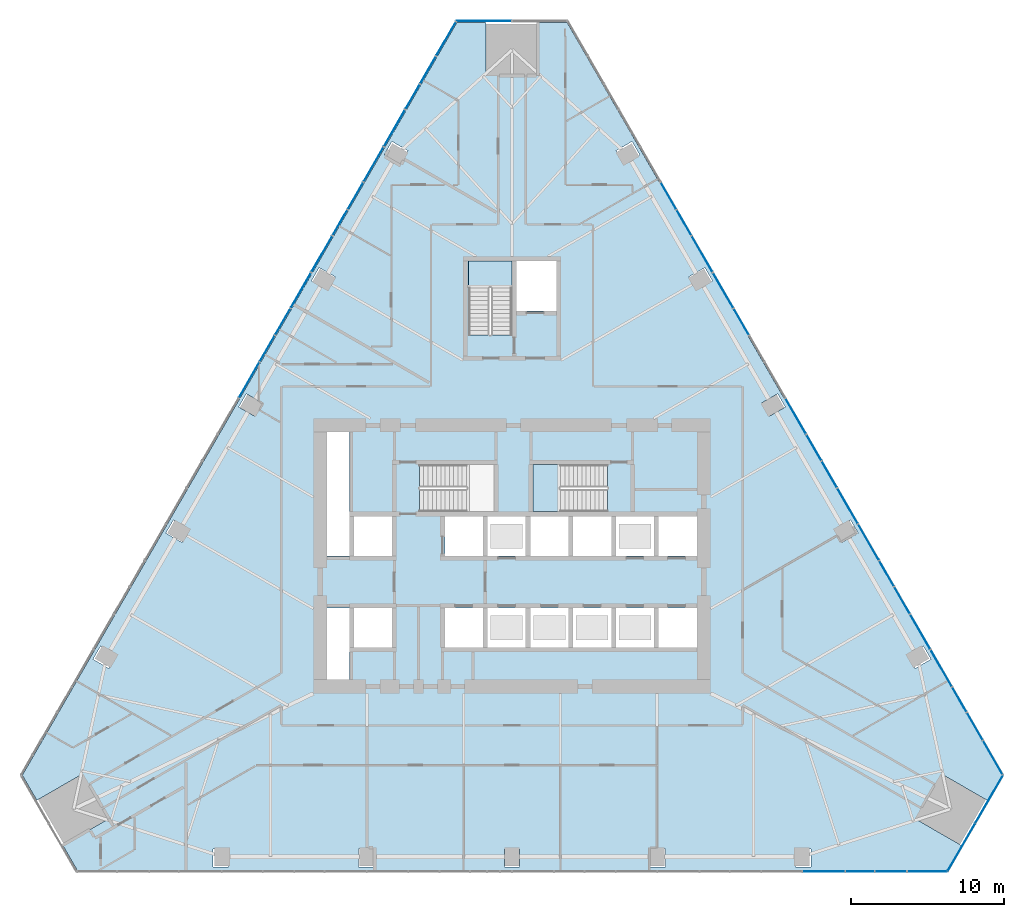
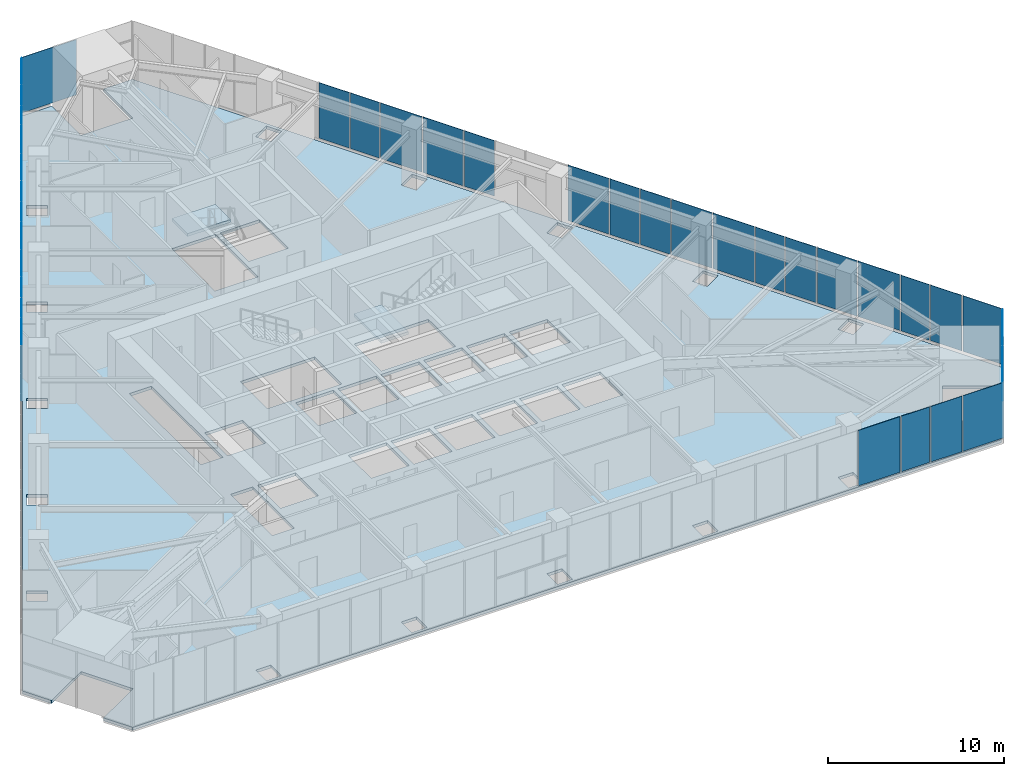
# One storey, part 14 of 21: 39 plates, 3 slabs, 7 elements without a shape of their own.
"""IFC4 building model written with IfcOpenShell, lengths in metres."""

from ifc_helpers import new_model, si_unit, direction, frame, origin, place, context, subcontext, project, spatial, polyline, outline, extrude, material, layer, layer_set, type_object, element, aggregate, save


model = new_model("IFC4")

# Units and contexts
model_context = context("Model", 3, precision=1e-05, world=origin(), true_north=direction((0.0, 1.0)))
body_context = subcontext(model_context, "Body", "Model", "MODEL_VIEW")
ifc_project = project(units=[si_unit("LENGTHUNIT", "METRE"), si_unit("AREAUNIT", "SQUARE_METRE"), si_unit("VOLUMEUNIT", "CUBIC_METRE"), si_unit("PLANEANGLEUNIT", "RADIAN"), si_unit("MASSUNIT", "GRAM", prefix="KILO")], contexts=[model_context])

# Site, building, storey
site_placement = place(None, origin())
site = spatial("IfcSite", under=ifc_project, at=site_placement, CompositionType="ELEMENT")
building_placement = place(site_placement, origin())
building = spatial("IfcBuilding", under=site, at=building_placement, Name="Firuza Gate Tower and Library", CompositionType="ELEMENT")
storey_placement = place(building_placement, frame((0.0, 0.0, 69.39990234375)))
storey = spatial("IfcBuildingStorey", under=building, at=storey_placement, Name="L15", CompositionType="ELEMENT", Elevation=69.39990234375)

# Slab
ifc_material_1 = material(Name="Concrete C40/50", Category="concrete")
ifc_layer_1 = layer(ifc_material_1, 0.199951171875)
ifc_layer_set_1 = layer_set([ifc_layer_1], Name="Composite floor slab 200 C40/50")
slab_type_1 = type_object("IfcSlabType", Name="Composite floor slab 200 C40/50", PredefinedType="FLOOR", material=ifc_layer_set_1)
slab_1_placement = place(storey_placement, frame((0.0, 0.0, -0.199951171875)))
element("IfcSlab", 1, at=slab_1_placement, inside=storey, type_object=slab_type_1, Name="Floor slab L15", PredefinedType="FLOOR", context=body_context, shape_type="SweptSolid", body=[
    extrude(outline(polyline([(103.455810546875, 54.4140625), (104.406005859375, 56.0595703125), (101.522216796875, 57.724365234375), (103.22216796875, 60.6689453125), (106.10595703125, 59.00390625), (107.055908203125, 60.6494140625), (78.60009765625, 109.9365234375), (76.699951171875, 109.9365234375), (76.699951171875, 106.606689453125), (73.300048828125, 106.606689453125), (73.300048828125, 109.9365234375), (71.39990234375, 109.9365234375), (42.944091796875, 60.6494140625), (43.89404296875, 59.00390625), (46.77783203125, 60.6689453125), (48.477783203125, 57.724365234375), (45.593994140625, 56.0595703125), (46.544189453125, 54.4140625), (103.455810546875, 54.4140625)]), holes=[polyline([(55.43115234375, 54.62890625), (55.43115234375, 55.828857421875), (56.43115234375, 55.828857421875), (56.43115234375, 54.62890625), (55.43115234375, 54.62890625)]), polyline([(64.965576171875, 54.62890625), (64.965576171875, 55.828857421875), (65.965576171875, 55.828857421875), (65.965576171875, 54.62890625), (64.965576171875, 54.62890625)]), polyline([(48.07373046875, 69.1044921875), (49.11279296875, 68.50439453125), (48.61279296875, 67.638427734375), (47.57373046875, 68.23828125), (48.07373046875, 69.1044921875)]), polyline([(64.35009765625, 66.89990234375), (62.89990234375, 66.89990234375), (62.89990234375, 71.60009765625), (64.35009765625, 71.60009765625), (64.35009765625, 66.89990234375)]), polyline([(75.89990234375, 69.0), (73.39990234375, 69.0), (73.39990234375, 71.60009765625), (75.89990234375, 71.60009765625), (75.89990234375, 69.0)]), polyline([(73.10009765625, 69.0), (70.60009765625, 69.0), (70.60009765625, 71.60009765625), (73.10009765625, 71.60009765625), (73.10009765625, 69.0)]), polyline([(64.64990234375, 69.0), (64.64990234375, 71.60009765625), (67.14990234375, 71.60009765625), (67.14990234375, 69.0), (64.64990234375, 69.0)]), polyline([(64.64990234375, 75.0), (64.64990234375, 77.60009765625), (67.14990234375, 77.60009765625), (67.14990234375, 75.0), (64.64990234375, 75.0)]), polyline([(75.89990234375, 75.0), (73.39990234375, 75.0), (73.39990234375, 77.60009765625), (75.89990234375, 77.60009765625), (75.89990234375, 75.0)]), polyline([(73.10009765625, 75.0), (70.60009765625, 75.0), (70.60009765625, 77.60009765625), (73.10009765625, 77.60009765625), (73.10009765625, 75.0)]), polyline([(52.8408203125, 77.361572265625), (53.880126953125, 76.761474609375), (53.380126953125, 75.8955078125), (52.3408203125, 76.495361328125), (52.8408203125, 77.361572265625)]), polyline([(62.89990234375, 75.0), (62.89990234375, 83.10009765625), (64.35009765625, 83.10009765625), (64.35009765625, 75.0), (62.89990234375, 75.0)]), polyline([(68.9404296875, 77.89990234375), (68.9404296875, 80.97998046875), (73.81005859375, 80.97998046875), (73.81005859375, 77.89990234375), (68.9404296875, 77.89990234375)]), polyline([(57.608154296875, 85.61865234375), (58.6474609375, 85.0185546875), (58.1474609375, 84.152587890625), (57.108154296875, 84.75244140625), (57.608154296875, 85.61865234375)]), polyline([(72.159912109375, 89.470458984375), (72.159912109375, 94.300048828125), (75.0, 94.300048828125), (75.0, 89.470458984375), (72.159912109375, 89.470458984375)]), polyline([(62.375244140625, 93.875732421875), (63.41455078125, 93.275634765625), (62.91455078125, 92.40966796875), (61.875244140625, 93.009521484375), (62.375244140625, 93.875732421875)]), polyline([(68.181884765625, 101.53271484375), (67.681884765625, 100.666748046875), (66.642578125, 101.2666015625), (67.142578125, 102.1328125), (68.181884765625, 101.53271484375)]), polyline([(93.56884765625, 54.62890625), (93.56884765625, 55.828857421875), (94.56884765625, 55.828857421875), (94.56884765625, 54.62890625), (93.56884765625, 54.62890625)]), polyline([(74.5, 54.62890625), (74.5, 55.828857421875), (75.5, 55.828857421875), (75.5, 54.62890625), (74.5, 54.62890625)]), polyline([(84.034423828125, 54.62890625), (84.034423828125, 55.828857421875), (85.034423828125, 55.828857421875), (85.034423828125, 54.62890625), (84.034423828125, 54.62890625)]), polyline([(102.42626953125, 68.23828125), (101.38720703125, 67.638427734375), (100.88720703125, 68.50439453125), (101.92626953125, 69.1044921875), (102.42626953125, 68.23828125)]), polyline([(78.699951171875, 69.0), (76.199951171875, 69.0), (76.199951171875, 71.60009765625), (78.699951171875, 71.60009765625), (78.699951171875, 69.0)]), polyline([(81.5, 69.0), (79.0, 69.0), (79.0, 71.60009765625), (81.5, 71.60009765625), (81.5, 69.0)]), polyline([(84.60009765625, 69.0), (84.60009765625, 71.60009765625), (87.10009765625, 71.60009765625), (87.10009765625, 69.0), (84.60009765625, 69.0)]), polyline([(81.800048828125, 69.0), (81.800048828125, 71.60009765625), (84.300048828125, 71.60009765625), (84.300048828125, 69.0), (81.800048828125, 69.0)]), polyline([(84.300048828125, 75.0), (81.800048828125, 75.0), (81.800048828125, 77.60009765625), (84.300048828125, 77.60009765625), (84.300048828125, 75.0)]), polyline([(87.10009765625, 75.0), (84.60009765625, 75.0), (84.60009765625, 77.60009765625), (87.10009765625, 77.60009765625), (87.10009765625, 75.0)]), polyline([(81.5, 75.0), (79.0, 75.0), (79.0, 77.60009765625), (81.5, 77.60009765625), (81.5, 75.0)]), polyline([(76.199951171875, 75.0), (76.199951171875, 77.60009765625), (78.699951171875, 77.60009765625), (78.699951171875, 75.0), (76.199951171875, 75.0)]), polyline([(96.619873046875, 75.8955078125), (96.119873046875, 76.761474609375), (97.1591796875, 77.361572265625), (97.6591796875, 76.495361328125), (96.619873046875, 75.8955078125)]), polyline([(81.259521484375, 77.89990234375), (76.389892578125, 77.89990234375), (76.389892578125, 80.97998046875), (81.259521484375, 80.97998046875), (81.259521484375, 77.89990234375)]), polyline([(92.891845703125, 84.75244140625), (91.8525390625, 84.152587890625), (91.3525390625, 85.0185546875), (92.391845703125, 85.61865234375), (92.891845703125, 84.75244140625)]), polyline([(77.89990234375, 91.050048828125), (75.300048828125, 91.050048828125), (75.300048828125, 94.300048828125), (77.89990234375, 94.300048828125), (77.89990234375, 91.050048828125)]), polyline([(87.08544921875, 92.40966796875), (86.58544921875, 93.275634765625), (87.624755859375, 93.875732421875), (88.124755859375, 93.009521484375), (87.08544921875, 92.40966796875)]), polyline([(82.318115234375, 100.666748046875), (81.818115234375, 101.53271484375), (82.857421875, 102.1328125), (83.357421875, 101.2666015625), (82.318115234375, 100.666748046875)])]), origin(), (0.0, 0.0, 1.0), 0.199951171875),
])

# Curtain wall, plates
ifc_material_2 = material(Name="Aluminium 6063-T6", Category="aluminium")
ifc_layer_2 = layer(ifc_material_2, 0.14990234375)
ifc_layer_set_2 = layer_set([ifc_layer_2], Name="Corner curtain wall, chamfers")
curtain_wall_type_1 = type_object("IfcCurtainWallType", Name="Corner curtain wall, chamfers", PredefinedType="NOTDEFINED", material=ifc_layer_set_2)
placement_1 = place(storey_placement, origin())
curtain_wall_1 = element("IfcCurtainWall", 2, at=placement_1, inside=storey, type_object=curtain_wall_type_1, Name="CW4 L15 SE corner", PredefinedType="NOTDEFINED")
ifc_material_3 = material(Name="Fritted glass", Category="glass")
ifc_layer_3 = layer(ifc_material_3, 0.030029296875)
ifc_layer_set_3 = layer_set([ifc_layer_3], Name="Fritted glass unit, corners")
plate_type_1 = type_object("IfcPlateType", Name="Fritted glass unit, corners", PredefinedType="CURTAIN_PANEL", material=ifc_layer_set_3)
plate_1_placement = place(storey_placement, frame((103.5322265625, 54.3662109375, 0.150146484375), z_axis=(0.866046390552, -0.49996364809, 0.0), x_axis=(0.49996364809, 0.866046390552, 0.0)))
plate_1 = element("IfcPlate", 3, at=plate_1_placement, type_object=plate_type_1, Name="Glass unit", PredefinedType="CURTAIN_PANEL", context=body_context, shape_type="SweptSolid", body=[
    extrude(outline(polyline([(0.0, 0.0), (3.563247342942594, 0.0), (3.563247342942594, 1.260009765625), (0.0, 1.260009765625), (0.0, 0.0)])), origin(), (0.0, 0.0, -1.0), 0.030029296875),
])
plate_2_placement = place(storey_placement, frame((103.5322265625, 54.3662109375, 1.489990234375), z_axis=(0.866046390552, -0.49996364809, 0.0), x_axis=(0.49996364809, 0.866046390552, 0.0)))
plate_2 = element("IfcPlate", 4, at=plate_2_placement, type_object=plate_type_1, Name="Glass unit", PredefinedType="CURTAIN_PANEL", context=body_context, shape_type="SweptSolid", body=[
    extrude(outline(polyline([(0.0, 0.0), (3.563247342942594, 0.0), (3.563247342942594, 1.195068359375), (0.0, 1.195068359375), (0.0, 0.0)])), origin(), (0.0, 0.0, -1.0), 0.030029296875),
])
plate_3_placement = place(storey_placement, frame((105.353759765625, 57.521484375, 0.150146484375), z_axis=(0.865999591991, -0.500044704672, 0.0), x_axis=(0.500044704672, 0.865999591991, 0.0)))
plate_3 = element("IfcPlate", 5, at=plate_3_placement, type_object=plate_type_1, Name="Glass unit", PredefinedType="CURTAIN_PANEL", context=body_context, shape_type="SweptSolid", body=[
    extrude(outline(polyline([(0.0, 0.0), (3.5631579828801696, 0.0), (3.5631579828801696, 1.885009765625), (0.0, 1.885009765625), (0.0, 0.0)])), origin(), (0.0, 0.0, -1.0), 0.030029296875),
])

ifc_material_4 = material(Name="Aluminium 6063-T6", Category="aluminium")
ifc_layer_4 = layer(ifc_material_4, 0.14990234375)
ifc_layer_set_4 = layer_set([ifc_layer_4], Name="Unitised curtain wall, offices")
curtain_wall_type_2 = type_object("IfcCurtainWallType", Name="Unitised curtain wall, offices", PredefinedType="NOTDEFINED", material=ifc_layer_set_4)
curtain_wall_2 = element("IfcCurtainWall", 6, at=placement_1, inside=storey, type_object=curtain_wall_type_2, Name="CW1 L15 S face", PredefinedType="NOTDEFINED")
ifc_material_5 = material(Name="Fritted glass", Category="glass")
ifc_layer_5 = layer(ifc_material_5, 0.030029296875)
ifc_layer_set_5 = layer_set([ifc_layer_5], Name="Fritted glass unit, offices")
plate_type_2 = type_object("IfcPlateType", Name="Fritted glass unit, offices", PredefinedType="CURTAIN_PANEL", material=ifc_layer_set_5)
plate_4_placement = place(storey_placement, frame((96.854736328125, 54.323974609375, 0.150146484375), z_axis=(0.0, -1.0, 0.0), x_axis=(1.0, 0.0, 0.0)))
plate_4 = element("IfcPlate", 7, at=plate_4_placement, type_object=plate_type_2, Name="Glass unit", PredefinedType="CURTAIN_PANEL", context=body_context, shape_type="SweptSolid", body=[
    extrude(outline(polyline([(0.0, 0.0), (1.8544921875, 0.0), (1.8544921875, 3.849853515625), (0.0, 3.849853515625), (0.0, 0.0)])), origin(), (0.0, 0.0, -1.0), 0.030029296875),
])
plate_5_placement = place(storey_placement, frame((98.789306640625, 54.323974609375, 0.150146484375), z_axis=(0.0, -1.0, 0.0), x_axis=(1.0, 0.0, 0.0)))
plate_5 = element("IfcPlate", 8, at=plate_5_placement, type_object=plate_type_2, Name="Glass unit", PredefinedType="CURTAIN_PANEL", context=body_context, shape_type="SweptSolid", body=[
    extrude(outline(polyline([(0.0, 0.0), (2.028076171875, 0.0), (2.028076171875, 3.849853515625), (0.0, 3.849853515625), (0.0, 0.0)])), origin(), (0.0, 0.0, -1.0), 0.030029296875),
])

curtain_wall_3 = element("IfcCurtainWall", 9, at=placement_1, inside=storey, type_object=curtain_wall_type_2, Name="CW1 L15 E face", PredefinedType="NOTDEFINED")
plate_6_placement = place(storey_placement, frame((105.814697265625, 62.9794921875, 0.150146484375), z_axis=(0.865997142093, 0.500048947491, 0.0), x_axis=(-0.500048947491, 0.865997142093, 0.0)))
plate_6 = element("IfcPlate", 10, at=plate_6_placement, type_object=plate_type_2, Name="Glass unit", PredefinedType="CURTAIN_PANEL", context=body_context, shape_type="SweptSolid", body=[
    extrude(outline(polyline([(0.0, 0.0), (2.0281217695542577, 0.0), (2.0281217695542577, 3.849853515625), (0.0, 3.849853515625), (0.0, 0.0)])), origin(), (0.0, 0.0, -1.0), 0.030029296875),
])
plate_7_placement = place(storey_placement, frame((104.760498046875, 64.80517578125, 0.150146484375), z_axis=(0.866014576189, 0.500018753476, 0.0), x_axis=(-0.500018753476, 0.866014576189, 0.0)))
plate_7 = element("IfcPlate", 11, at=plate_7_placement, type_object=plate_type_2, Name="Glass unit", PredefinedType="CURTAIN_PANEL", context=body_context, shape_type="SweptSolid", body=[
    extrude(outline(polyline([(0.0, 0.0), (1.8544226337585363, 0.0), (1.8544226337585363, 3.849853515625), (0.0, 3.849853515625), (0.0, 0.0)])), origin(), (0.0, 0.0, -1.0), 0.030029296875),
])
plate_8_placement = place(storey_placement, frame((101.04736328125, 71.236572265625, 0.150146484375), z_axis=(0.86604893727, 0.499959236591, 0.0), x_axis=(-0.499959236591, 0.86604893727, 0.0)))
plate_8 = element("IfcPlate", 12, at=plate_8_placement, type_object=plate_type_2, Name="Glass unit", PredefinedType="CURTAIN_PANEL", context=body_context, shape_type="SweptSolid", body=[
    extrude(outline(polyline([(0.0, 0.0), (1.9933265720713123, 0.0), (1.9933265720713123, 3.849853515625), (0.0, 3.849853515625), (0.0, 0.0)])), origin(), (0.0, 0.0, -1.0), 0.030029296875),
])
plate_9_placement = place(storey_placement, frame((100.0107421875, 73.031982421875, 0.150146484375), z_axis=(0.866047869032, 0.499961087031, 0.0), x_axis=(-0.499961087031, 0.866047869032, 0.0)))
plate_9 = element("IfcPlate", 13, at=plate_9_placement, type_object=plate_type_2, Name="Glass unit", PredefinedType="CURTAIN_PANEL", context=body_context, shape_type="SweptSolid", body=[
    extrude(outline(polyline([(0.0, 0.0), (1.8893071933532877, 0.0), (1.8893071933532877, 3.849853515625001), (0.0, 3.849853515625001), (0.0, 0.0)])), origin(), (0.0, 0.0, -1.0), 0.030029296875),
])
plate_10_placement = place(storey_placement, frame((96.2802734375, 79.49365234375, 0.150146484375), z_axis=(0.865994621196, 0.500053313218, 0.0), x_axis=(-0.500053313218, 0.865994621196, 0.0)))
plate_10 = element("IfcPlate", 14, at=plate_10_placement, type_object=plate_type_2, Name="Glass unit", PredefinedType="CURTAIN_PANEL", context=body_context, shape_type="SweptSolid", body=[
    extrude(outline(polyline([(0.0, 0.0), (1.958775517748439, 0.0), (1.958775517748439, 3.849853515625), (0.0, 3.849853515625), (0.0, 0.0)])), origin(), (0.0, 0.0, -1.0), 0.030029296875),
])
plate_11_placement = place(storey_placement, frame((95.2607421875, 81.259033203125, 0.150146484375), z_axis=(0.866048237946, 0.499960447986, 0.0), x_axis=(-0.499960447986, 0.866048237946, 0.0)))
plate_11 = element("IfcPlate", 15, at=plate_11_placement, type_object=plate_type_2, Name="Glass unit", PredefinedType="CURTAIN_PANEL", context=body_context, shape_type="SweptSolid", body=[
    extrude(outline(polyline([(0.0, 0.0), (1.923980319591636, 0.0), (1.923980319591636, 3.849853515625), (0.0, 3.849853515625), (0.0, 0.0)])), origin(), (0.0, 0.0, -1.0), 0.030029296875),
])
plate_12_placement = place(storey_placement, frame((90.510986328125, 89.486083984375, 0.150146484375), z_axis=(0.866048593798, 0.499959831567, 0.0), x_axis=(-0.499959831567, 0.866048593798, 0.0)))
plate_12 = element("IfcPlate", 16, at=plate_12_placement, type_object=plate_type_2, Name="Glass unit", PredefinedType="CURTAIN_PANEL", context=body_context, shape_type="SweptSolid", body=[
    extrude(outline(polyline([(0.0, 0.0), (1.9586534458309952, 0.0), (1.9586534458309952, 3.849853515625), (0.0, 3.849853515625), (0.0, 0.0)])), origin(), (0.0, 0.0, -1.0), 0.030029296875),
])
plate_13_placement = place(storey_placement, frame((86.74560546875, 96.0078125, 0.150146484375), z_axis=(0.866015563061, 0.500017044245, 0.0), x_axis=(-0.500017044245, 0.866015563061, 0.0)))
plate_13 = element("IfcPlate", 17, at=plate_13_placement, type_object=plate_type_2, Name="Glass unit", PredefinedType="CURTAIN_PANEL", context=body_context, shape_type="SweptSolid", body=[
    extrude(outline(polyline([(0.0, 0.0), (1.8890957598286413, 0.0), (1.8890957598286413, 3.849853515625), (0.0, 3.849853515625), (0.0, 0.0)])), origin(), (0.0, 0.0, -1.0), 0.030029296875),
])
plate_14_placement = place(storey_placement, frame((85.760986328125, 97.713134765625, 0.150146484375), z_axis=(0.86604893727, 0.499959236591, 0.0), x_axis=(-0.499959236591, 0.86604893727, 0.0)))
plate_14 = element("IfcPlate", 18, at=plate_14_placement, type_object=plate_type_2, Name="Glass unit", PredefinedType="CURTAIN_PANEL", context=body_context, shape_type="SweptSolid", body=[
    extrude(outline(polyline([(0.0, 0.0), (1.9933265720713123, 0.0), (1.9933265720713123, 3.849853515625), (0.0, 3.849853515625), (0.0, 0.0)])), origin(), (0.0, 0.0, -1.0), 0.030029296875),
])

curtain_wall_4 = element("IfcCurtainWall", 19, at=placement_1, inside=storey, type_object=curtain_wall_type_2, Name="CW1 L15 W face", PredefinedType="NOTDEFINED")
plate_15_placement = place(storey_placement, frame((70.0029296875, 107.696533203125, 0.150146484375), z_axis=(-0.865997142093, 0.500048947491, 0.0), x_axis=(-0.500048947491, -0.865997142093, 0.0)))
plate_15 = element("IfcPlate", 20, at=plate_15_placement, type_object=plate_type_2, Name="Glass unit", PredefinedType="CURTAIN_PANEL", context=body_context, shape_type="SweptSolid", body=[
    extrude(outline(polyline([(0.0, 0.0), (2.0281217695542577, 0.0), (2.0281217695542577, 3.849853515625), (0.0, 3.849853515625), (0.0, 0.0)])), origin(), (0.0, 0.0, -1.0), 0.030029296875),
])
plate_16_placement = place(storey_placement, frame((68.94873046875, 105.870849609375, 0.150146484375), z_axis=(-0.866014576189, 0.500018753476, 0.0), x_axis=(-0.500018753476, -0.866014576189, 0.0)))
plate_16 = element("IfcPlate", 21, at=plate_16_placement, type_object=plate_type_2, Name="Glass unit", PredefinedType="CURTAIN_PANEL", context=body_context, shape_type="SweptSolid", body=[
    extrude(outline(polyline([(0.0, 0.0), (1.8544226337585363, 0.0), (1.8544226337585363, 3.849853515625), (0.0, 3.849853515625), (0.0, 0.0)])), origin(), (0.0, 0.0, -1.0), 0.030029296875),
])
plate_17_placement = place(storey_placement, frame((65.235595703125, 99.439453125, 0.150146484375), z_axis=(-0.86604893727, 0.499959236591, 0.0), x_axis=(-0.499959236591, -0.86604893727, 0.0)))
plate_17 = element("IfcPlate", 22, at=plate_17_placement, type_object=plate_type_2, Name="Glass unit", PredefinedType="CURTAIN_PANEL", context=body_context, shape_type="SweptSolid", body=[
    extrude(outline(polyline([(0.0, 0.0), (1.9933265720713123, 0.0), (1.9933265720713123, 3.849853515625), (0.0, 3.849853515625), (0.0, 0.0)])), origin(), (0.0, 0.0, -1.0), 0.030029296875),
])
plate_18_placement = place(storey_placement, frame((64.198974609375, 97.643798828125, 0.150146484375), z_axis=(-0.866015563061, 0.500017044245, 0.0), x_axis=(-0.500017044245, -0.866015563061, 0.0)))
plate_18 = element("IfcPlate", 23, at=plate_18_placement, type_object=plate_type_2, Name="Glass unit", PredefinedType="CURTAIN_PANEL", context=body_context, shape_type="SweptSolid", body=[
    extrude(outline(polyline([(0.0, 0.0), (1.8890957598286413, 0.0), (1.8890957598286413, 3.849853515625), (0.0, 3.849853515625), (0.0, 0.0)])), origin(), (0.0, 0.0, -1.0), 0.030029296875),
])
plate_19_placement = place(storey_placement, frame((60.46826171875, 91.182373046875, 0.150146484375), z_axis=(-0.866048593798, 0.499959831567, 0.0), x_axis=(-0.499959831567, -0.866048593798, 0.0)))
plate_19 = element("IfcPlate", 24, at=plate_19_placement, type_object=plate_type_2, Name="Glass unit", PredefinedType="CURTAIN_PANEL", context=body_context, shape_type="SweptSolid", body=[
    extrude(outline(polyline([(0.0, 0.0), (1.9586534458309952, 0.0), (1.9586534458309952, 3.849853515625), (0.0, 3.849853515625), (0.0, 0.0)])), origin(), (0.0, 0.0, -1.0), 0.030029296875),
])
plate_20_placement = place(storey_placement, frame((59.448974609375, 89.416748046875, 0.150146484375), z_axis=(-0.866016514357, 0.500015396624, 0.0), x_axis=(-0.500015396624, -0.866016514357, 0.0)))
plate_20 = element("IfcPlate", 25, at=plate_20_placement, type_object=plate_type_2, Name="Glass unit", PredefinedType="CURTAIN_PANEL", context=body_context, shape_type="SweptSolid", body=[
    extrude(outline(polyline([(0.0, 0.0), (1.9237688859058393, 0.0), (1.9237688859058393, 3.849853515625), (0.0, 3.849853515625), (0.0, 0.0)])), origin(), (0.0, 0.0, -1.0), 0.030029296875),
])

# Plate
ifc_material_6 = material(Name="Glazed ceramic tile")
ifc_layer_6 = layer(ifc_material_6, 0.030029296875)
ifc_layer_set_6 = layer_set([ifc_layer_6], Name="Opaque ceramic panel, corners")
plate_type_3 = type_object("IfcPlateType", Name="Opaque ceramic panel, corners", PredefinedType="CURTAIN_PANEL", material=ifc_layer_set_6)
plate_21_placement = place(storey_placement, frame((103.5322265625, 54.3662109375, 2.76513671875), z_axis=(0.866046390552, -0.49996364809, 0.0), x_axis=(0.49996364809, 0.866046390552, 0.0)))
plate_21 = element("IfcPlate", 26, at=plate_21_placement, type_object=plate_type_3, Name="Opaque ceramic panel", PredefinedType="CURTAIN_PANEL", context=body_context, shape_type="SweptSolid", body=[
    extrude(outline(polyline([(0.0, 0.0), (3.563247342942594, 0.0), (3.563247342942594, 1.23486328125), (0.0, 1.23486328125), (0.0, 0.0)])), origin(), (0.0, 0.0, -1.0), 0.030029296875),
])

plate_22_placement = place(storey_placement, frame((105.353759765625, 57.521484375, 2.114990234375), z_axis=(0.865999591991, -0.500044704672, 0.0), x_axis=(0.500044704672, 0.865999591991, 0.0)))
plate_22 = element("IfcPlate", 27, at=plate_22_placement, type_object=plate_type_3, Name="Opaque ceramic panel", PredefinedType="CURTAIN_PANEL", context=body_context, shape_type="SweptSolid", body=[
    extrude(outline(polyline([(0.0, 0.0), (3.5631579828801696, 0.0), (3.5631579828801696, 1.885009765625), (0.0, 1.885009765625), (0.0, 0.0)])), origin(), (0.0, 0.0, -1.0), 0.030029296875),
])

aggregate(curtain_wall_1, [plate_1, plate_2, plate_21, plate_3, plate_22])

# Curtain wall, plate
curtain_wall_5 = element("IfcCurtainWall", 28, at=placement_1, inside=storey, type_object=curtain_wall_type_1, Name="CW4 L15 N corner", PredefinedType="NOTDEFINED")
plate_23_placement = place(storey_placement, frame((74.9599609375, 110.026611328125, 0.150146484375), z_axis=(0.0, 1.0, 0.0), x_axis=(-1.0, 0.0, 0.0)))
plate_23 = element("IfcPlate", 29, at=plate_23_placement, type_object=plate_type_3, Name="Opaque ceramic panel", PredefinedType="CURTAIN_PANEL", context=body_context, shape_type="SweptSolid", body=[
    extrude(outline(polyline([(0.0, 0.0), (3.563232421875, 0.0), (3.563232421875, 3.849853515625), (0.0, 3.849853515625), (0.0, 0.0)])), origin(), (0.0, 0.0, -1.0), 0.030029296875),
])
aggregate(curtain_wall_5, [plate_23])

# Plate
ifc_material_7 = material(Name="Glazed ceramic tile")
ifc_layer_7 = layer(ifc_material_7, 0.030029296875)
ifc_layer_set_7 = layer_set([ifc_layer_7], Name="Opaque ceramic panel, offices")
plate_type_4 = type_object("IfcPlateType", Name="Opaque ceramic panel, offices", PredefinedType="CURTAIN_PANEL", material=ifc_layer_set_7)
plate_24_placement = place(storey_placement, frame((94.03955078125, 54.323974609375, 0.150146484375), z_axis=(0.0, -1.0, 0.0), x_axis=(1.0, 0.0, 0.0)))
plate_24 = element("IfcPlate", 30, at=plate_24_placement, type_object=plate_type_4, Name="Opaque ceramic panel", PredefinedType="CURTAIN_PANEL", context=body_context, shape_type="SweptSolid", body=[
    extrude(outline(polyline([(0.0, 0.0), (2.7353515625, 0.0), (2.7353515625, 3.849853515625), (0.0, 3.849853515625), (0.0, 0.0)])), origin(), (0.0, 0.0, -1.0), 0.030029296875),
])

plate_25_placement = place(storey_placement, frame((100.8974609375, 54.323974609375, 0.150146484375), z_axis=(0.0, -1.0, 0.0), x_axis=(1.0, 0.0, 0.0)))
plate_25 = element("IfcPlate", 31, at=plate_25_placement, type_object=plate_type_4, Name="Opaque ceramic panel", PredefinedType="CURTAIN_PANEL", context=body_context, shape_type="SweptSolid", body=[
    extrude(outline(polyline([(0.0, 0.0), (2.561767578125, 0.0), (2.561767578125, 3.849853515625), (0.0, 3.849853515625), (0.0, 0.0)])), origin(), (0.0, 0.0, -1.0), 0.030029296875),
])

aggregate(curtain_wall_2, [plate_24, plate_4, plate_5, plate_25])

plate_26_placement = place(storey_placement, frame((107.135498046875, 60.691650390625, 0.150146484375), z_axis=(0.866041163633, 0.499972702148, 0.0), x_axis=(-0.499972702148, 0.866041163633, 0.0)))
plate_26 = element("IfcPlate", 32, at=plate_26_placement, type_object=plate_type_4, Name="Opaque ceramic panel", PredefinedType="CURTAIN_PANEL", context=body_context, shape_type="SweptSolid", body=[
    extrude(outline(polyline([(0.0, 0.0), (2.561663293310942, 0.0), (2.561663293310942, 3.849853515625), (0.0, 3.849853515625), (0.0, 0.0)])), origin(), (0.0, 0.0, -1.0), 0.030029296875),
])

plate_27_placement = place(storey_placement, frame((103.793212890625, 66.48046875, 0.150146484375), z_axis=(0.866026550154, 0.499998014425, 0.0), x_axis=(-0.499998014425, 0.866026550154, 0.0)))
plate_27 = element("IfcPlate", 33, at=plate_27_placement, type_object=plate_type_4, Name="Opaque ceramic panel", PredefinedType="CURTAIN_PANEL", context=body_context, shape_type="SweptSolid", body=[
    extrude(outline(polyline([(0.0, 0.0), (2.735362425036586, 0.0), (2.735362425036586, 3.849853515625001), (0.0, 3.849853515625001), (0.0, 0.0)])), origin(), (0.0, 0.0, -1.0), 0.030029296875),
])

plate_28_placement = place(storey_placement, frame((102.3857421875, 68.918701171875, 0.150146484375), z_axis=(0.866000809756, 0.500042595688, 0.0), x_axis=(-0.500042595688, 0.866000809756, 0.0)))
plate_28 = element("IfcPlate", 34, at=plate_28_placement, type_object=plate_type_4, Name="Opaque ceramic panel", PredefinedType="CURTAIN_PANEL", context=body_context, shape_type="SweptSolid", body=[
    extrude(outline(polyline([(0.0, 0.0), (2.5964584916306643, 0.0), (2.5964584916306643, 3.849853515625), (0.0, 3.849853515625), (0.0, 0.0)])), origin(), (0.0, 0.0, -1.0), 0.030029296875),
])

plate_29_placement = place(storey_placement, frame((99.026123046875, 74.737548828125, 0.150146484375), z_axis=(0.866026013603, 0.499998943762, 0.0), x_axis=(-0.499998943762, 0.866026013603, 0.0)))
plate_29 = element("IfcPlate", 35, at=plate_29_placement, type_object=plate_type_4, Name="Opaque ceramic panel", PredefinedType="CURTAIN_PANEL", context=body_context, shape_type="SweptSolid", body=[
    extrude(outline(polyline([(0.0, 0.0), (2.7006892988923705, 0.0), (2.7006892988923705, 3.849853515625), (0.0, 3.849853515625), (0.0, 0.0)])), origin(), (0.0, 0.0, -1.0), 0.030029296875),
])

plate_30_placement = place(storey_placement, frame((97.6357421875, 77.1455078125, 0.150146484375), z_axis=(0.866024898077, 0.500000875909, 0.0), x_axis=(-0.500000875909, 0.866024898077, 0.0)))
plate_30 = element("IfcPlate", 36, at=plate_30_placement, type_object=plate_type_4, Name="Opaque ceramic panel", PredefinedType="CURTAIN_PANEL", context=body_context, shape_type="SweptSolid", body=[
    extrude(outline(polyline([(0.0, 0.0), (2.6313430466136385, 0.0), (2.6313430466136385, 3.849853515625), (0.0, 3.849853515625), (0.0, 0.0)])), origin(), (0.0, 0.0, -1.0), 0.030029296875),
])

plate_31_placement = place(storey_placement, frame((94.2587890625, 82.99462890625, 0.150146484375), z_axis=(0.866002566612, 0.500039553057, 0.0), x_axis=(-0.500039553057, 0.866002566612, 0.0)))
plate_31 = element("IfcPlate", 37, at=plate_31_placement, type_object=plate_type_4, Name="Opaque ceramic panel", PredefinedType="CURTAIN_PANEL", context=body_context, shape_type="SweptSolid", body=[
    extrude(outline(polyline([(0.0, 0.0), (2.66580474354839, 0.0), (2.66580474354839, 3.849853515625), (0.0, 3.849853515625), (0.0, 0.0)])), origin(), (0.0, 0.0, -1.0), 0.030029296875),
])

plate_32_placement = place(storey_placement, frame((89.49169921875, 91.251708984375, 0.150146484375), z_axis=(0.866001699761, 0.500041054325, 0.0), x_axis=(-0.500041054325, 0.866001699761, 0.0)))
plate_32 = element("IfcPlate", 38, at=plate_32_placement, type_object=plate_type_4, Name="Opaque ceramic panel", PredefinedType="CURTAIN_PANEL", context=body_context, shape_type="SweptSolid", body=[
    extrude(outline(polyline([(0.0, 0.0), (2.6311316175854684, 0.0), (2.6311316175854684, 3.849853515625001), (0.0, 3.849853515625001), (0.0, 0.0)])), origin(), (0.0, 0.0, -1.0), 0.030029296875),
])

plate_33_placement = place(storey_placement, frame((88.135986328125, 93.599609375, 0.150146484375), z_axis=(0.866026013603, 0.499998943762, 0.0), x_axis=(-0.499998943762, 0.866026013603, 0.0)))
plate_33 = element("IfcPlate", 39, at=plate_33_placement, type_object=plate_type_4, Name="Opaque ceramic panel", PredefinedType="CURTAIN_PANEL", context=body_context, shape_type="SweptSolid", body=[
    extrude(outline(polyline([(0.0, 0.0), (2.7006892988923705, 0.0), (2.7006892988923705, 3.849853515625), (0.0, 3.849853515625), (0.0, 0.0)])), origin(), (0.0, 0.0, -1.0), 0.030029296875),
])

aggregate(curtain_wall_3, [plate_26, plate_6, plate_7, plate_27, plate_28, plate_8, plate_9, plate_29, plate_30, plate_10, plate_11, plate_31, plate_12, plate_32, plate_33, plate_13, plate_14])

plate_34_placement = place(storey_placement, frame((71.32373046875, 109.984375, 0.150146484375), z_axis=(-0.865999895656, 0.500044178772, 0.0), x_axis=(-0.500044178772, -0.865999895656, 0.0)))
plate_34 = element("IfcPlate", 40, at=plate_34_placement, type_object=plate_type_4, Name="Opaque ceramic panel", PredefinedType="CURTAIN_PANEL", context=body_context, shape_type="SweptSolid", body=[
    extrude(outline(polyline([(0.0, 0.0), (2.561785365684309, 0.0), (2.561785365684309, 3.849853515625), (0.0, 3.849853515625), (0.0, 0.0)])), origin(), (0.0, 0.0, -1.0), 0.030029296875),
])

plate_35_placement = place(storey_placement, frame((67.9814453125, 104.195556640625, 0.150146484375), z_axis=(-0.866026550154, 0.499998014425, 0.0), x_axis=(-0.499998014425, -0.866026550154, 0.0)))
plate_35 = element("IfcPlate", 41, at=plate_35_placement, type_object=plate_type_4, Name="Opaque ceramic panel", PredefinedType="CURTAIN_PANEL", context=body_context, shape_type="SweptSolid", body=[
    extrude(outline(polyline([(0.0, 0.0), (2.735362425036586, 0.0), (2.735362425036586, 3.849853515625001), (0.0, 3.849853515625001), (0.0, 0.0)])), origin(), (0.0, 0.0, -1.0), 0.030029296875),
])

plate_36_placement = place(storey_placement, frame((66.57373046875, 101.75732421875, 0.150146484375), z_axis=(-0.866041526567, 0.499972073481, 0.0), x_axis=(-0.499972073481, -0.866041526567, 0.0)))
plate_36 = element("IfcPlate", 42, at=plate_36_placement, type_object=plate_type_4, Name="Opaque ceramic panel", PredefinedType="CURTAIN_PANEL", context=body_context, shape_type="SweptSolid", body=[
    extrude(outline(polyline([(0.0, 0.0), (2.5963364195272924, 0.0), (2.5963364195272924, 3.849853515625), (0.0, 3.849853515625), (0.0, 0.0)])), origin(), (0.0, 0.0, -1.0), 0.030029296875),
])

plate_37_placement = place(storey_placement, frame((63.21435546875, 95.9384765625, 0.150146484375), z_axis=(-0.866026013603, 0.499998943762, 0.0), x_axis=(-0.499998943762, -0.866026013603, 0.0)))
plate_37 = element("IfcPlate", 43, at=plate_37_placement, type_object=plate_type_4, Name="Opaque ceramic panel", PredefinedType="CURTAIN_PANEL", context=body_context, shape_type="SweptSolid", body=[
    extrude(outline(polyline([(0.0, 0.0), (2.7006892988923705, 0.0), (2.7006892988923705, 3.849853515625), (0.0, 3.849853515625), (0.0, 0.0)])), origin(), (0.0, 0.0, -1.0), 0.030029296875),
])

plate_38_placement = place(storey_placement, frame((61.823974609375, 93.5302734375, 0.150146484375), z_axis=(-0.866001699761, 0.500041054325, 0.0), x_axis=(-0.500041054325, -0.866001699761, 0.0)))
plate_38 = element("IfcPlate", 44, at=plate_38_placement, type_object=plate_type_4, Name="Opaque ceramic panel", PredefinedType="CURTAIN_PANEL", context=body_context, shape_type="SweptSolid", body=[
    extrude(outline(polyline([(0.0, 0.0), (2.6311316175854684, 0.0), (2.6311316175854684, 3.849853515625001), (0.0, 3.849853515625001), (0.0, 0.0)])), origin(), (0.0, 0.0, -1.0), 0.030029296875),
])

plate_39_placement = place(storey_placement, frame((58.447021484375, 87.681396484375, 0.150146484375), z_axis=(-0.866025463095, 0.499999897272, 0.0), x_axis=(-0.499999897272, -0.866025463095, 0.0)))
plate_39 = element("IfcPlate", 45, at=plate_39_placement, type_object=plate_type_4, Name="Opaque ceramic panel", PredefinedType="CURTAIN_PANEL", context=body_context, shape_type="SweptSolid", body=[
    extrude(outline(polyline([(0.0, 0.0), (2.666016172751346, 0.0), (2.666016172751346, 3.849853515625), (0.0, 3.849853515625), (0.0, 0.0)])), origin(), (0.0, 0.0, -1.0), 0.030029296875),
])

aggregate(curtain_wall_4, [plate_34, plate_15, plate_16, plate_35, plate_36, plate_17, plate_18, plate_37, plate_38, plate_19, plate_20, plate_39])

# Stair, slab
ifc_material_8 = material(Name="Concrete C35/45", Category="concrete")
stair_type_1 = type_object("IfcStairType", Name="Exit stair ST5", PredefinedType="HALF_TURN_STAIR", material=ifc_material_8)
stair_1 = element("IfcStair", 46, at=placement_1, inside=storey, type_object=stair_type_1, Name="L15 Stair ST2", PredefinedType="HALF_TURN_STAIR")
ifc_material_9 = material(Name="Concrete C35/45", Category="concrete")
ifc_layer_8 = layer(ifc_material_9, 0.199951171875)
ifc_layer_set_8 = layer_set([ifc_layer_8], Name="Stair landing 200")
slab_type_2 = type_object("IfcSlabType", Name="Stair landing 200", PredefinedType="LANDING", material=ifc_layer_set_8)
placement_2 = place(storey_placement, frame((0.0, 0.0, 1.900146484375)))
slab_2 = element("IfcSlab", 47, at=placement_2, type_object=slab_type_2, Name="ST2 landing 1", PredefinedType="LANDING", context=body_context, shape_type="SweptSolid", body=[
    extrude(outline(polyline([(78.179931640625, 80.97998046875), (76.389892578125, 80.97998046875), (76.389892578125, 77.89990234375), (78.179931640625, 77.89990234375), (78.179931640625, 80.97998046875)])), origin(), (0.0, 0.0, 1.0), 0.199951171875),
])
aggregate(stair_1, [slab_2])

ifc_material_10 = material(Name="Concrete C35/45", Category="concrete")
stair_type_2 = type_object("IfcStairType", Name="Exit stair ST14", PredefinedType="HALF_TURN_STAIR", material=ifc_material_10)
stair_2 = element("IfcStair", 48, at=placement_1, inside=storey, type_object=stair_type_2, Name="L15 Stair ST3", PredefinedType="HALF_TURN_STAIR")
slab_3 = element("IfcSlab", 49, at=placement_2, type_object=slab_type_2, Name="ST3 landing 1", PredefinedType="LANDING", context=body_context, shape_type="SweptSolid", body=[
    extrude(outline(polyline([(75.0, 92.550048828125), (75.0, 94.300048828125), (72.159912109375, 94.300048828125), (72.159912109375, 92.550048828125), (75.0, 92.550048828125)])), origin(), (0.0, 0.0, 1.0), 0.199951171875),
])
aggregate(stair_2, [slab_3])

save(model, "model.ifc")
